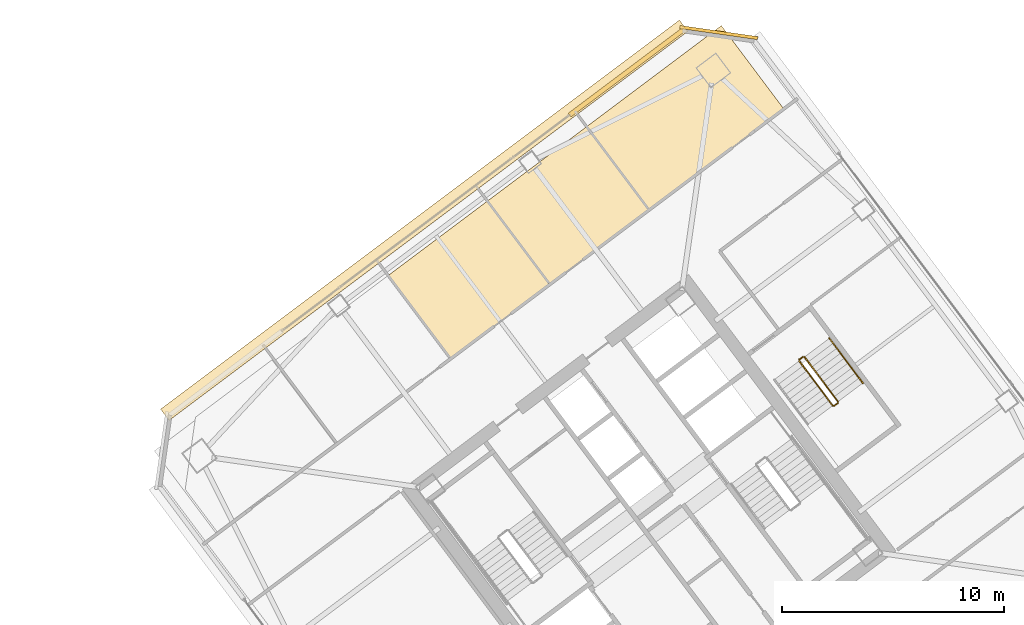
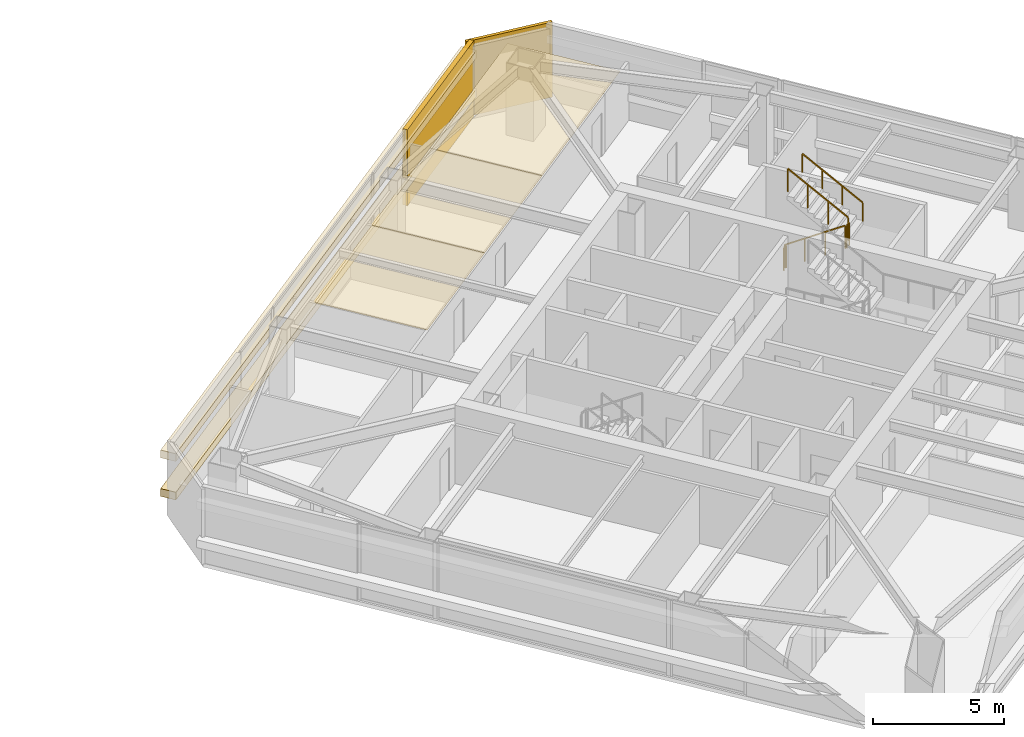
# One storey, part 41 of 42: 7 coverings, 5 railings.
"""IFC4 building model written with IfcOpenShell, lengths in metres."""

from ifc_helpers import new_model, si_unit, direction, frame, origin, origin_2d, place, context, subcontext, project, spatial, polyline, rectangle, outline, extrude, material, layer, layer_set, type_object, element, save


model = new_model("IFC4")

# Units and contexts
model_context = context("Model", 3, precision=1e-05, world=origin(), true_north=direction((0.0, 1.0)))
body_context = subcontext(model_context, "Body", "Model", "MODEL_VIEW")
ifc_project = project(units=[si_unit("LENGTHUNIT", "METRE"), si_unit("AREAUNIT", "SQUARE_METRE"), si_unit("VOLUMEUNIT", "CUBIC_METRE"), si_unit("PLANEANGLEUNIT", "RADIAN"), si_unit("MASSUNIT", "GRAM", prefix="KILO")], contexts=[model_context])

# Site, building, storey
site_placement = place(None, origin())
site = spatial("IfcSite", under=ifc_project, at=site_placement, CompositionType="ELEMENT")
building_placement = place(site_placement, origin())
building = spatial("IfcBuilding", under=site, at=building_placement, Name="Tashvorn Skyway Center", CompositionType="ELEMENT")
storey_placement = place(building_placement, frame((0.0, 0.0, 164.10009765625)))
storey = spatial("IfcBuildingStorey", under=building, at=storey_placement, Name="L44", CompositionType="ELEMENT", Elevation=164.10009765625)

# Coverings
ifc_material_1 = material(Name="Precast concrete C40/50", Category="concrete")
ifc_layer_1 = layer(ifc_material_1, 0.199951171875)
ifc_layer_set_1 = layer_set([ifc_layer_1], Name="Precast concrete C40/50")
covering_type_1 = type_object("IfcCoveringType", Name="COV-BRACE-CLAD", PredefinedType="CLADDING", material=ifc_layer_set_1)
covering_1_placement = place(storey_placement, frame((113.00390625, 52.22802734375, 0.0), z_axis=(0.0, 0.0, 1.0), x_axis=(0.799999996291, 0.600000004945, 0.0)))
element("IfcCovering", 1, at=covering_1_placement, inside=storey, type_object=covering_type_1, Name="Tower 2 L44 North Unitised Curtain Wall Mega-Brace Cladding Band 2", PredefinedType="CLADDING", context=body_context, shape_type="SweptSolid", body=[
    extrude(rectangle(XDim=6.47998046875, YDim=0.199951171875, at=origin_2d()), origin(), (0.0, 0.0, 1.0), 3.550048828125),
])
ifc_material_2 = material(Name="Mineral-fibre acoustic ceiling tile on suspended grid")
ifc_layer_2 = layer(ifc_material_2, 0.02001953125)
ifc_layer_set_2 = layer_set([ifc_layer_2], Name="Mineral-fibre acoustic ceiling tile on suspended grid")
covering_type_2 = type_object("IfcCoveringType", Name="COV-CEIL-20", PredefinedType="CEILING", material=ifc_layer_set_2)
covering_2_placement = place(storey_placement, frame((0.0, 0.0, 2.702880859375)))
element("IfcCovering", 2, at=covering_2_placement, inside=storey, type_object=covering_type_2, Name="Tower 2 L44 Staff Fitness Club Acoustic Ceiling", PredefinedType="CEILING", context=body_context, shape_type="SweptSolid", body=[
    extrude(outline(polyline([(105.0400390625, 39.280029296875), (109.52001953125, 42.639892578125), (106.699951171875, 46.39990234375), (102.219970703125, 43.0400390625), (105.0400390625, 39.280029296875)])), origin(), (0.0, 0.0, 1.0), 0.02001953125),
])
covering_3_placement = place(storey_placement, frame((0.0, 0.0, 2.702880859375)))
element("IfcCovering", 3, at=covering_3_placement, inside=storey, type_object=covering_type_2, Name="Tower 2 L44 Research Library Acoustic Ceiling", PredefinedType="CEILING", context=body_context, shape_type="SweptSolid", body=[
    extrude(outline(polyline([(109.52001953125, 42.639892578125), (114.0, 46.0), (111.179931640625, 49.760009765625), (106.699951171875, 46.39990234375), (109.52001953125, 42.639892578125)])), origin(), (0.0, 0.0, 1.0), 0.02001953125),
])
covering_4_placement = place(storey_placement, frame((0.0, 0.0, 2.702880859375)))
element("IfcCovering", 4, at=covering_4_placement, inside=storey, type_object=covering_type_2, Name="Tower 2 L44 Research Library Acoustic Ceiling", PredefinedType="CEILING", context=body_context, shape_type="SweptSolid", body=[
    extrude(outline(polyline([(114.0, 46.0), (120.080078125, 50.56005859375), (117.260009765625, 54.320068359375), (111.179931640625, 49.760009765625), (114.0, 46.0)])), origin(), (0.0, 0.0, 1.0), 0.02001953125),
])
ifc_material_3 = material(Name="Perforated ceramic-coated bronze aluminium solar screen", Category="aluminium")
ifc_layer_3 = layer(ifc_material_3, 0.85009765625)
ifc_layer_set_3 = layer_set([ifc_layer_3], Name="Perforated ceramic-coated bronze aluminium solar screen")
covering_type_3 = type_object("IfcCoveringType", Name="COV-SOLAR-BAND", PredefinedType="CLADDING", material=ifc_layer_set_3)
for number, where, z_axis, x_axis, name in (
    (5, (103.847900390625, 45.535888671875, 0.919921875), (0.0, 0.0, 1.0), (0.799999996291, 0.600000004945, 0.0), "L44 Perforated Ceramic-Metal Solar Screen Louvre Band North 1"),
    (6, (103.847900390625, 45.535888671875, 2.7197265625), (0.0, 0.0, 1.0), (0.799999996291, 0.600000004945, 0.0), "L44 Perforated Ceramic-Metal Solar Screen Louvre Band North 2"),
):
    element("IfcCovering", number, at=place(storey_placement, frame(where, z_axis=z_axis, x_axis=x_axis)), inside=storey, type_object=covering_type_3, Name=name, PredefinedType="CLADDING", context=body_context, shape_type="SweptSolid", body=[
        extrude(rectangle(XDim=29.280029296875, YDim=0.639892578125, at=origin_2d()), origin(), (0.0, 0.0, 1.0), 0.360107421875),
    ])
ifc_layer_4 = layer(ifc_material_1, 0.35009765625)
ifc_layer_set_4 = layer_set([ifc_layer_4], Name="Precast concrete C40/50")
covering_type_4 = type_object("IfcCoveringType", Name="COV-STONE-TRIM", PredefinedType="CLADDING", material=ifc_layer_set_4)
covering_5_placement = place(storey_placement, frame((117.14404296875, 54.008056640625, 0.02001953125), z_axis=(0.0, 0.0, 1.0), x_axis=(0.989949494535, -0.141421350118, 0.0)))
element("IfcCovering", 7, at=covering_5_placement, inside=storey, type_object=covering_type_4, Name="Tower 2 L44 NE Mojave Limestone Corner Quoin", PredefinedType="CLADDING", context=body_context, shape_type="SweptSolid", body=[
    extrude(rectangle(XDim=3.55419921875, YDim=0.139892578125, at=origin_2d()), origin(), (0.0, 0.0, 1.0), 3.510009765625),
])

# Railings
ifc_material_4 = material(Name="Brushed stainless steel 316", Category="steel")
railing_type_1 = type_object("IfcRailingType", Name="RAIL-HAND-920", PredefinedType="HANDRAIL", material=ifc_material_4)
railing_1_placement = place(storey_placement, frame((123.64794921875, 38.18603515625, 1.952392578125)))
element("IfcRailing", 8, at=railing_1_placement, inside=storey, type_object=railing_type_1, Name="L44 ST-T2-3 stair handrail 2", PredefinedType="HANDRAIL", context=body_context, shape_type="SweptSolid", body=[
    extrude(rectangle(XDim=0.048095703125, YDim=0.048095703125, at=origin_2d()), frame((0.0, 0.0, 0.8759765625), z_axis=(-0.506768818287, 0.675664481285, 0.535409071218), x_axis=(-0.79998837352, -0.60001550166, 0.0)), (0.0, 0.0, 1.0), 2.983642578125),
    extrude(rectangle(XDim=0.0419921875, YDim=0.0419921875, at=origin_2d()), origin(), (0.0, 0.0, 1.0), 0.851806640625),
    extrude(rectangle(XDim=0.0419921875, YDim=0.0419921875, at=origin_2d()), frame((-0.50390625, 0.671875, 0.532470703125)), (0.0, 0.0, 1.0), 0.851806640625),
    extrude(rectangle(XDim=0.0419921875, YDim=0.0419921875, at=origin_2d()), frame((-1.008056640625, 1.343994140625, 1.06494140625)), (0.0, 0.0, 1.0), 0.851806640625),
    extrude(rectangle(XDim=0.0419921875, YDim=0.0419921875, at=origin_2d()), frame((-1.511962890625, 2.015869140625, 1.597412109375)), (0.0, 0.0, 1.0), 0.851806640625),
])
ifc_material_5 = material(Name="Painted galvanized steel S355", Category="steel")
railing_type_2 = type_object("IfcRailingType", Name="RAIL-STGUARD-1100", PredefinedType="GUARDRAIL", material=ifc_material_5)
railing_2_placement = place(storey_placement, frame((120.77587890625, 39.181884765625, 0.177490234375)))
element("IfcRailing", 9, at=railing_2_placement, inside=storey, type_object=railing_type_2, Name="L44 ST-T2-3 stair guard 1", PredefinedType="GUARDRAIL", context=body_context, shape_type="SweptSolid", body=[
    extrude(rectangle(XDim=0.048095703125, YDim=0.048095703125, at=origin_2d()), frame((0.0, 0.0, 1.076171875), z_axis=(0.506829628838, -0.67563646195, 0.535386868177), x_axis=(0.799941867976, 0.600077501544, 0.0)), (0.0, 0.0, 1.0), 2.983642578125),
    extrude(rectangle(XDim=0.0419921875, YDim=0.0419921875, at=origin_2d()), origin(), (0.0, 0.0, 1.0), 1.052001953125),
    extrude(rectangle(XDim=0.0419921875, YDim=0.0419921875, at=origin_2d()), frame((0.504150390625, -0.671875, 0.532470703125)), (0.0, 0.0, 1.0), 1.052001953125),
    extrude(rectangle(XDim=0.0419921875, YDim=0.0419921875, at=origin_2d()), frame((1.008056640625, -1.343994140625, 1.06494140625)), (0.0, 0.0, 1.0), 1.052001953125),
    extrude(rectangle(XDim=0.0419921875, YDim=0.0419921875, at=origin_2d()), frame((1.51220703125, -2.015869140625, 1.597412109375)), (0.0, 0.0, 1.0), 1.052001953125),
])
railing_3_placement = place(storey_placement, frame((122.35791015625, 37.156005859375, 1.77490234375)))
element("IfcRailing", 10, at=railing_3_placement, inside=storey, type_object=railing_type_2, Name="L44 ST-T2-3 stair guard 2", PredefinedType="GUARDRAIL", context=body_context, shape_type="SweptSolid", body=[
    extrude(rectangle(XDim=0.048095703125, YDim=0.048095703125, at=origin_2d()), frame((0.0, 0.0, 1.076171875), z_axis=(0.800585412921, 0.599218655098, 0.0), x_axis=(-0.599218655098, 0.800585412921, 0.0)), (0.0, 0.0, 1.0), 0.199951171875),
    extrude(rectangle(XDim=0.0419921875, YDim=0.0419921875, at=origin_2d()), origin(), (0.0, 0.0, 1.0), 1.052001953125),
    extrude(rectangle(XDim=0.0419921875, YDim=0.0419921875, at=origin_2d()), frame((0.16015625, 0.119873046875, 0.0)), (0.0, 0.0, 1.0), 1.052001953125),
])
railing_4_placement = place(storey_placement, frame((122.528076171875, 37.345947265625, 1.952392578125)))
element("IfcRailing", 11, at=railing_4_placement, inside=storey, type_object=railing_type_2, Name="L44 ST-T2-3 stair guard 3", PredefinedType="GUARDRAIL", context=body_context, shape_type="SweptSolid", body=[
    extrude(rectangle(XDim=0.048095703125, YDim=0.048095703125, at=origin_2d()), frame((0.0, 0.0, 1.076171875), z_axis=(-0.506740800098, 0.675708949977, 0.535379469569), x_axis=(-0.800023250257, -0.599968998406, 0.0)), (0.0, 0.0, 1.0), 2.983642578125),
    extrude(rectangle(XDim=0.0419921875, YDim=0.0419921875, at=origin_2d()), origin(), (0.0, 0.0, 1.0), 1.052001953125),
    extrude(rectangle(XDim=0.0419921875, YDim=0.0419921875, at=origin_2d()), frame((-0.50390625, 0.672119140625, 0.532470703125)), (0.0, 0.0, 1.0), 1.052001953125),
    extrude(rectangle(XDim=0.0419921875, YDim=0.0419921875, at=origin_2d()), frame((-1.008056640625, 1.343994140625, 1.06494140625)), (0.0, 0.0, 1.0), 1.052001953125),
    extrude(rectangle(XDim=0.0419921875, YDim=0.0419921875, at=origin_2d()), frame((-1.511962890625, 2.01611328125, 1.597412109375)), (0.0, 0.0, 1.0), 1.052001953125),
])
railing_5_placement = place(storey_placement, frame((120.785888671875, 39.251953125, 0.0)))
element("IfcRailing", 12, at=railing_5_placement, inside=storey, type_object=railing_type_2, Name="L44 ST-T2-3 stair guard 4", PredefinedType="GUARDRAIL", context=body_context, shape_type="SweptSolid", body=[
    extrude(rectangle(XDim=0.048095703125, YDim=0.048095703125, at=origin_2d()), frame((0.0, 0.0, 1.076171875), z_axis=(0.8, 0.6, 0.0), x_axis=(-0.6, 0.8, 0.0)), (0.0, 0.0, 1.0), 0.2001953125),
    extrude(rectangle(XDim=0.0419921875, YDim=0.0419921875, at=origin_2d()), origin(), (0.0, 0.0, 1.0), 1.052001953125),
    extrude(rectangle(XDim=0.0419921875, YDim=0.0419921875, at=origin_2d()), frame((0.16015625, 0.1201171875, 0.0)), (0.0, 0.0, 1.0), 1.052001953125),
])

save(model, "model.ifc")
